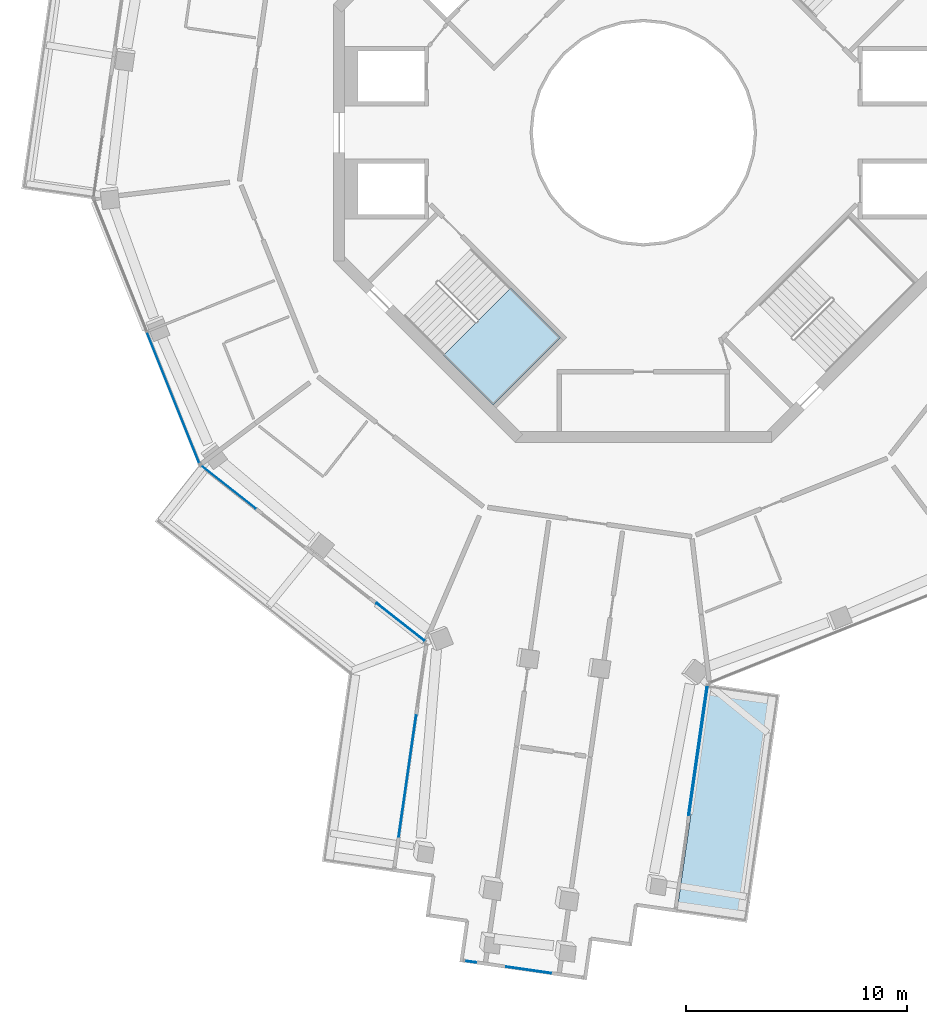
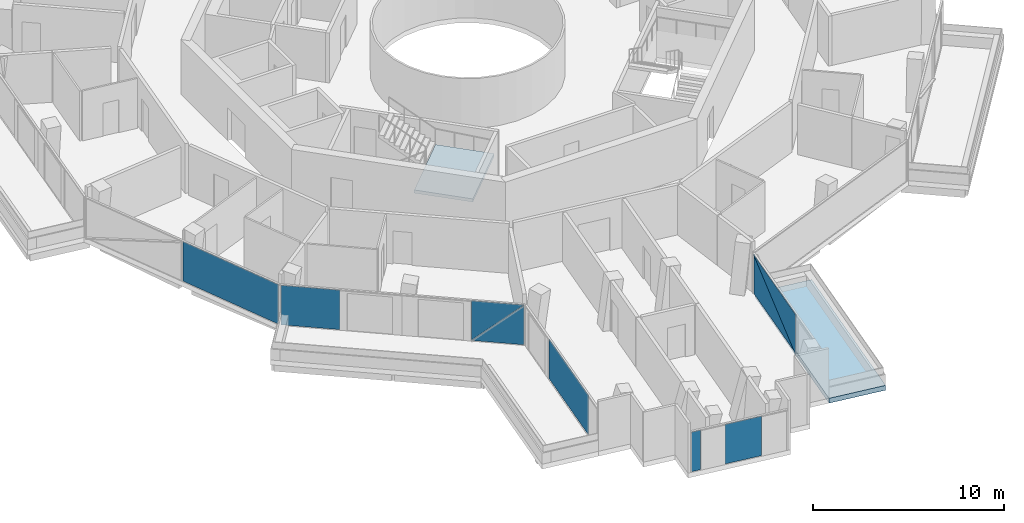
# One storey, part 11 of 23: 9 plates, 2 slabs, 6 elements without a shape of their own.
"""IFC4 building model written with IfcOpenShell, lengths in metres."""

from ifc_helpers import new_model, si_unit, direction, frame, origin, origin_2d, place, context, subcontext, project, spatial, polyline, rectangle, outline, extrude, material, layer, layer_set, type_object, element, aggregate, save


model = new_model("IFC4")

# Units and contexts
model_context = context("Model", 3, precision=1e-05, world=origin(), true_north=direction((0.0, 1.0)))
body_context = subcontext(model_context, "Body", "Model", "MODEL_VIEW")
ifc_project = project(units=[si_unit("LENGTHUNIT", "METRE"), si_unit("AREAUNIT", "SQUARE_METRE"), si_unit("VOLUMEUNIT", "CUBIC_METRE"), si_unit("PLANEANGLEUNIT", "RADIAN"), si_unit("MASSUNIT", "GRAM", prefix="KILO")], contexts=[model_context])

# Site, building, storey
site_placement = place(None, origin())
site = spatial("IfcSite", under=ifc_project, at=site_placement, CompositionType="ELEMENT")
building_placement = place(site_placement, origin())
building = spatial("IfcBuilding", under=site, at=building_placement, Name="Verdalira Terraces Hotel", CompositionType="ELEMENT")
storey_placement = place(building_placement, frame((0.0, 0.0, 244.5)))
storey = spatial("IfcBuildingStorey", under=building, at=storey_placement, Name="L60", CompositionType="ELEMENT", Elevation=244.5)

# Slab
ifc_material_1 = material(Name="Precast concrete C40/50", Category="concrete")
ifc_layer_1 = layer(ifc_material_1, 0.31005859375)
ifc_layer_set_1 = layer_set([ifc_layer_1], Name="Balcony deck 310")
slab_type_1 = type_object("IfcSlabType", Name="Balcony deck 310", PredefinedType="FLOOR", material=ifc_layer_set_1)
slab_1_placement = place(storey_placement, frame((0.0, 0.0, -0.310059)))
element("IfcSlab", 1, at=slab_1_placement, inside=storey, type_object=slab_type_1, Name="Balcony deck", PredefinedType="FLOOR", context=body_context, shape_type="SweptSolid", body=[
    extrude(outline(polyline([(6.158691, -25.389404), (2.990967, -24.935303), (1.513428, -35.240723), (4.680908, -35.695068), (6.158691, -25.389404)])), origin(), (0.0, 0.0, 1.0), 0.310059),
])

# Curtain wall, plate
ifc_material_2 = material(Name="Clear glass", Category="glass")
ifc_layer_2 = layer(ifc_material_2, 0.14990234375)
ifc_layer_set_2 = layer_set([ifc_layer_2], Name="CW1 curtain wall")
curtain_wall_type_1 = type_object("IfcCurtainWallType", Name="CW1 curtain wall", PredefinedType="NOTDEFINED", material=ifc_layer_set_2)
curtain_wall_1_placement = place(storey_placement, origin())
curtain_wall_1 = element("IfcCurtainWall", 2, at=curtain_wall_1_placement, inside=storey, type_object=curtain_wall_type_1, Name="CW1 curtain wall L60 edge 12", PredefinedType="NOTDEFINED")
ifc_material_3 = material(Name="Clear glass", Category="glass")
ifc_layer_3 = layer(ifc_material_3, 0.028076171875)
ifc_layer_set_3 = layer_set([ifc_layer_3], Name="CW1 glass unit 28")
plate_type_1 = type_object("IfcPlateType", Name="CW1 glass unit 28", PredefinedType="CURTAIN_PANEL", material=ifc_layer_set_3)
plate_1_placement = place(storey_placement, frame((-21.251709, -11.980713, 0.0), z_axis=(0.0, 0.0, 1.0), x_axis=(0.37201595, -0.928226337, 0.0)))
plate_1 = element("IfcPlate", 3, at=plate_1_placement, type_object=plate_type_1, Name="CW1 glass unit", PredefinedType="CURTAIN_PANEL", context=body_context, shape_type="SweptSolid", body=[
    extrude(rectangle(XDim=6.369873, YDim=0.028076, at=origin_2d()), origin(), (0.0, 0.0, 1.0), 2.524902),
])
aggregate(curtain_wall_1, [plate_1])

# Curtain wall, plates
curtain_wall_2_placement = place(storey_placement, origin())
curtain_wall_2 = element("IfcCurtainWall", 4, at=curtain_wall_2_placement, inside=storey, type_object=curtain_wall_type_1, Name="CW1 curtain wall L60 edge 13", PredefinedType="NOTDEFINED")
plate_2_placement = place(storey_placement, frame((-18.755371, -16.018555, 0.0), z_axis=(0.0, 0.0, 1.0), x_axis=(0.786288432, -0.617859613, 0.0)))
plate_2 = element("IfcPlate", 5, at=plate_2_placement, type_object=plate_type_1, Name="CW1 glass unit", PredefinedType="CURTAIN_PANEL", context=body_context, shape_type="SweptSolid", body=[
    extrude(rectangle(XDim=3.099854, YDim=0.028076, at=origin_2d()), origin(), (0.0, 0.0, 1.0), 2.524902),
])
plate_3_placement = place(storey_placement, frame((-10.961914, -22.124756, 1.262451), z_axis=(-0.617859613, -0.786288432, 0.0), x_axis=(0.786288432, -0.617859613, 0.0)))
plate_3 = element("IfcPlate", 6, at=plate_3_placement, type_object=plate_type_1, Name="CW1 glass unit", PredefinedType="CURTAIN_PANEL", context=body_context, shape_type="SweptSolid", body=[
    extrude(outline(polyline([(-1.389404, -1.262451), (1.389404, -1.262451), (1.389404, 1.262451), (-1.389404, -1.262451)])), origin(), (0.0, 0.0, 1.0), 0.028076),
])
plate_4_placement = place(storey_placement, frame((-10.944092, -22.101807, 1.262451), z_axis=(-0.617859613, -0.786288432, 0.0), x_axis=(0.786288432, -0.617859613, 0.0)))
plate_4 = element("IfcPlate", 7, at=plate_4_placement, type_object=plate_type_1, Name="CW1 glass unit", PredefinedType="CURTAIN_PANEL", context=body_context, shape_type="SweptSolid", body=[
    extrude(outline(polyline([(-1.389404, -1.262451), (1.389404, 1.262451), (-1.389404, 1.262451), (-1.389404, -1.262451)])), origin(), (0.0, 0.0, 1.0), 0.028076),
])
aggregate(curtain_wall_2, [plate_2, plate_3, plate_4])

# Curtain wall, plate
ifc_material_4 = material(Name="Clear glass", Category="glass")
ifc_layer_4 = layer(ifc_material_4, 0.14990234375)
ifc_layer_set_4 = layer_set([ifc_layer_4], Name="CW2 curtain wall")
curtain_wall_type_2 = type_object("IfcCurtainWallType", Name="CW2 curtain wall", PredefinedType="NOTDEFINED", material=ifc_layer_set_4)
curtain_wall_3_placement = place(storey_placement, origin())
curtain_wall_3 = element("IfcCurtainWall", 8, at=curtain_wall_3_placement, inside=storey, type_object=curtain_wall_type_2, Name="CW2 curtain wall L60 edge 14", PredefinedType="NOTDEFINED")
ifc_material_5 = material(Name="Clear glass", Category="glass")
ifc_layer_5 = layer(ifc_material_5, 0.031982421875)
ifc_layer_set_5 = layer_set([ifc_layer_5], Name="CW2 glass unit 32")
plate_type_2 = type_object("IfcPlateType", Name="CW2 glass unit 32", PredefinedType="CURTAIN_PANEL", material=ifc_layer_set_5)
plate_5_placement = place(storey_placement, frame((-10.6604, -29.080078, 0.0), z_axis=(0.0, 0.0, 1.0), x_axis=(-0.141937905, -0.989875563, 0.0)))
plate_5 = element("IfcPlate", 9, at=plate_5_placement, type_object=plate_type_2, Name="CW2 glass unit", PredefinedType="CURTAIN_PANEL", context=body_context, shape_type="SweptSolid", body=[
    extrude(rectangle(XDim=5.540771, YDim=0.031982, at=origin_2d()), origin(), (0.0, 0.0, 1.0), 2.524902),
])
aggregate(curtain_wall_3, [plate_5])

# Curtain wall, plates
curtain_wall_4_placement = place(storey_placement, origin())
curtain_wall_4 = element("IfcCurtainWall", 10, at=curtain_wall_4_placement, inside=storey, type_object=curtain_wall_type_2, Name="CW2 curtain wall L60 edge 24", PredefinedType="NOTDEFINED")
plate_6_placement = place(storey_placement, frame((2.471436, -27.917236, 1.262451), z_axis=(0.989875563, -0.141937905, 0.0), x_axis=(0.141937905, 0.989875563, 0.0)))
plate_6 = element("IfcPlate", 11, at=plate_6_placement, type_object=plate_type_2, Name="CW2 glass unit", PredefinedType="CURTAIN_PANEL", context=body_context, shape_type="SweptSolid", body=[
    extrude(outline(polyline([(-2.955566, -1.262451), (2.955566, -1.262451), (2.955566, 1.262451), (-2.955566, -1.262451)])), origin(), (0.0, 0.0, 1.0), 0.031982),
])
plate_7_placement = place(storey_placement, frame((2.438965, -27.912598, 1.262451), z_axis=(0.989875563, -0.141937905, 0.0), x_axis=(0.141937905, 0.989875563, 0.0)))
plate_7 = element("IfcPlate", 12, at=plate_7_placement, type_object=plate_type_2, Name="CW2 glass unit", PredefinedType="CURTAIN_PANEL", context=body_context, shape_type="SweptSolid", body=[
    extrude(outline(polyline([(-2.955566, -1.262451), (2.955566, 1.262451), (-2.955566, 1.262451), (-2.955566, -1.262451)])), origin(), (0.0, 0.0, 1.0), 0.031982),
])
aggregate(curtain_wall_4, [plate_6, plate_7])

ifc_material_6 = material(Name="Clear glass", Category="glass")
ifc_layer_6 = layer(ifc_material_6, 0.14990234375)
ifc_layer_set_6 = layer_set([ifc_layer_6], Name="CW3 curtain wall")
curtain_wall_type_3 = type_object("IfcCurtainWallType", Name="CW3 curtain wall", PredefinedType="NOTDEFINED", material=ifc_layer_set_6)
curtain_wall_5_placement = place(storey_placement, origin())
curtain_wall_5 = element("IfcCurtainWall", 13, at=curtain_wall_5_placement, inside=storey, type_object=curtain_wall_type_3, Name="CW3 curtain wall L60 edge 19", PredefinedType="NOTDEFINED")
ifc_material_7 = material(Name="Clear glass", Category="glass")
ifc_layer_7 = layer(ifc_material_7, 0.035888671875)
ifc_layer_set_7 = layer_set([ifc_layer_7], Name="CW3 glass unit 36")
plate_type_3 = type_object("IfcPlateType", Name="CW3 glass unit 36", PredefinedType="CURTAIN_PANEL", material=ifc_layer_set_7)
plate_8_placement = place(storey_placement, frame((-7.811768, -37.4646, 0.0), z_axis=(0.0, 0.0, 1.0), x_axis=(0.989875563, -0.141937905, 0.0)))
plate_8 = element("IfcPlate", 14, at=plate_8_placement, type_object=plate_type_3, Name="CW3 glass unit", PredefinedType="CURTAIN_PANEL", context=body_context, shape_type="SweptSolid", body=[
    extrude(rectangle(XDim=0.51001, YDim=0.035889, at=origin_2d()), origin(), (0.0, 0.0, 1.0), 2.524902),
])
plate_9_placement = place(storey_placement, frame((-5.186035, -37.841309, 0.0), z_axis=(0.0, 0.0, 1.0), x_axis=(0.989875563, -0.141937905, 0.0)))
plate_9 = element("IfcPlate", 15, at=plate_9_placement, type_object=plate_type_3, Name="CW3 glass unit", PredefinedType="CURTAIN_PANEL", context=body_context, shape_type="SweptSolid", body=[
    extrude(rectangle(XDim=2.044678, YDim=0.035889, at=origin_2d()), origin(), (0.0, 0.0, 1.0), 2.524902),
])
aggregate(curtain_wall_5, [plate_8, plate_9])

# Stair, slab
ifc_material_8 = material(Name="Concrete C40", Category="concrete")
stair_type = type_object("IfcStairType", Name="Core stair 20 risers 2100 mm wide", PredefinedType="HALF_TURN_STAIR", material=ifc_material_8)
stair_placement = place(storey_placement, origin())
stair = element("IfcStair", 16, at=stair_placement, inside=storey, type_object=stair_type, Name="L60 Exit stair ST2", PredefinedType="HALF_TURN_STAIR")
ifc_material_9 = material(Name="Concrete C40", Category="concrete")
ifc_layer_8 = layer(ifc_material_9, 0.199951171875)
ifc_layer_set_8 = layer_set([ifc_layer_8], Name="Core stair landing 200 mm")
slab_type_2 = type_object("IfcSlabType", Name="Core stair landing 200 mm", PredefinedType="LANDING", material=ifc_layer_set_8)
slab_2_placement = place(storey_placement, frame((0.0, 0.0, 1.550049)))
slab_2 = element("IfcSlab", 17, at=slab_2_placement, type_object=slab_type_2, Name="ST2 landing 1", PredefinedType="LANDING", context=body_context, shape_type="SweptSolid", body=[
    extrude(outline(polyline([(-9.037109, -10.054688), (-6.78833, -12.303711), (-3.747559, -9.263184), (-5.996582, -7.01416), (-9.037109, -10.054688)])), origin(), (0.0, 0.0, 1.0), 0.199951),
])
aggregate(stair, [slab_2])

save(model, "model.ifc")
